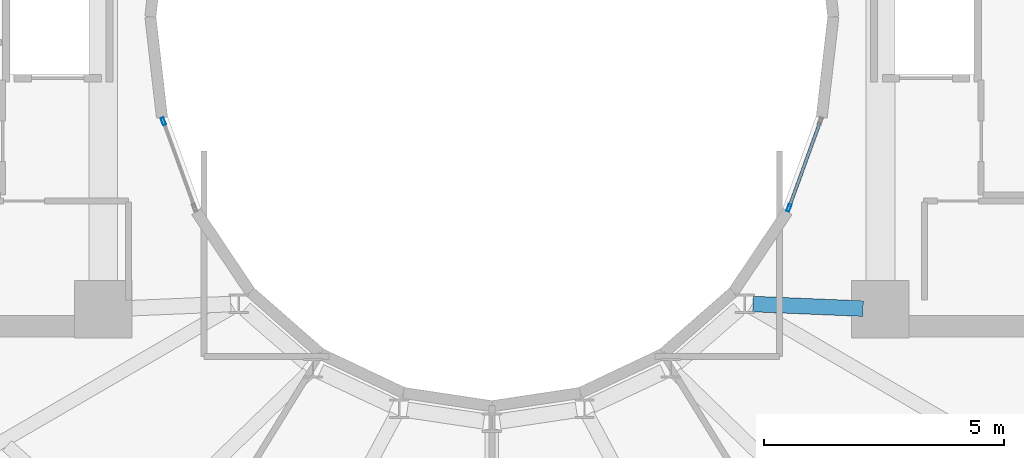
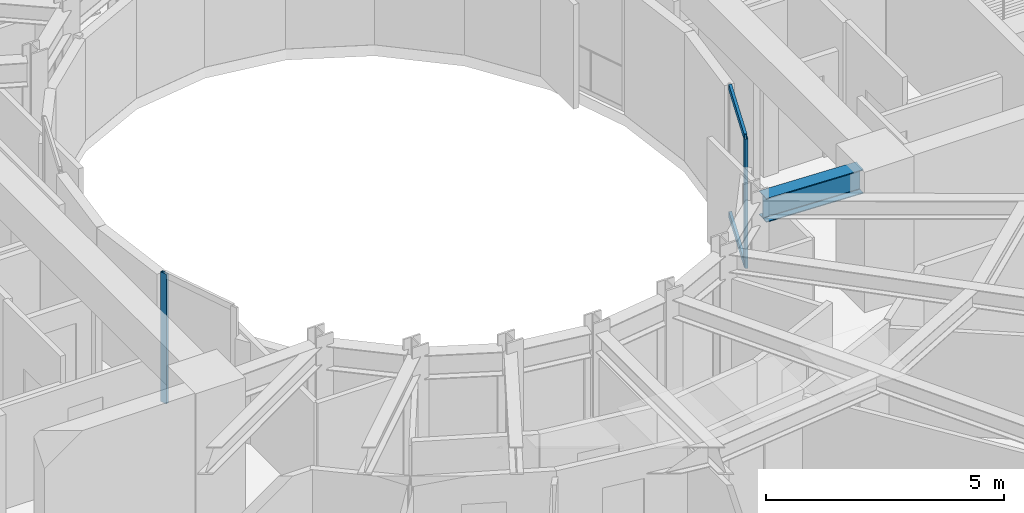
# One storey, part 6 of 24: 4 members, 1 beam, 2 elements without a shape of their own.
"""IFC4 building model written with IfcOpenShell, lengths in metres."""

from ifc_helpers import new_model, si_unit, direction, frame, origin, origin_2d, place, context, subcontext, project, spatial, hollow_rectangle, i_section, extrude, material, layer, layer_set, material_profile, profile_set, type_object, element, aggregate, save


model = new_model("IFC4")

# Units and contexts
model_context = context("Model", 3, precision=1e-05, world=origin(), true_north=direction((0.0, 1.0)))
body_context = subcontext(model_context, "Body", "Model", "MODEL_VIEW")
ifc_project = project(units=[si_unit("LENGTHUNIT", "METRE"), si_unit("AREAUNIT", "SQUARE_METRE"), si_unit("VOLUMEUNIT", "CUBIC_METRE"), si_unit("PLANEANGLEUNIT", "RADIAN"), si_unit("MASSUNIT", "GRAM", prefix="KILO")], contexts=[model_context])

# Site, building, storey
site_placement = place(None, origin())
site = spatial("IfcSite", under=ifc_project, at=site_placement, CompositionType="ELEMENT")
building_placement = place(site_placement, origin())
building = spatial("IfcBuilding", under=site, at=building_placement, Name="Solvane Sanctuary Tower", CompositionType="ELEMENT")
storey_placement = place(building_placement, frame((0.0, 0.0, 246.0)))
storey = spatial("IfcBuildingStorey", under=building, at=storey_placement, Name="L75", CompositionType="ELEMENT", Elevation=246.0)

# Beam
ifc_material_1 = material(Name="Steel ASTM A992 Grade 50", Category="steel")
ifc_material_profile_1 = material_profile(ifc_material_1, i_section(OverallWidth=0.324951171875, OverallDepth=0.615966796875, WebThickness=0.013916015625, FlangeThickness=0.021484375, FilletRadius=0.01611328125, at=origin_2d()), Name="W24X117")
ifc_profile_set_1 = profile_set([ifc_material_profile_1], Name="Steel ASTM A992 Grade 50")
beam_type = type_object("IfcBeamType", Name="Beam B-RING-IN2 W24X117", PredefinedType="BEAM", material=ifc_profile_set_1)
beam_placement = place(storey_placement, frame((37.44482421875, 17.0107421875, 3.010009765625), z_axis=(0.9991319677, -0.04165706566, 0.0), x_axis=(0.04165706566, 0.9991319677, 0.0)))
element("IfcBeam", 1, at=beam_placement, inside=storey, type_object=beam_type, Name="L75 Inner Light-Well Ring Beam IC14-CE1", PredefinedType="BEAM", context=body_context, shape_type="SweptSolid", body=[
    extrude(i_section(OverallWidth=0.324951171875, OverallDepth=0.615966796875, WebThickness=0.013916015625, FlangeThickness=0.021484375, FilletRadius=0.01611328125, at=origin_2d()), origin(), (0.0, 0.0, 1.0), 2.29736328125),
])

# Curtain wall, member
ifc_material_2 = material(Name="Anodised Aluminium 6063-T6", Category="aluminium")
ifc_layer = layer(ifc_material_2, 0.199951171875, Name="Anodised Aluminium 6063-T6")
ifc_layer_set = layer_set([ifc_layer], Name="Anodised Aluminium 6063-T6")
curtain_wall_type = type_object("IfcCurtainWallType", Name="Curtain Wall CW-WELL", PredefinedType="NOTDEFINED", material=ifc_layer_set)
curtain_wall_1_placement = place(storey_placement, origin())
curtain_wall_1 = element("IfcCurtainWall", 2, at=curtain_wall_1_placement, inside=storey, type_object=curtain_wall_type, Name="L75 Light-Well Glazed Curtain Wall 13", PredefinedType="NOTDEFINED")
ifc_material_profile_2 = material_profile(ifc_material_2, hollow_rectangle(XDim=0.06494140625, YDim=0.159912109375, WallThickness=0.00341796875, at=origin_2d()), Name="ALU160X65X3.5")
ifc_profile_set_2 = profile_set([ifc_material_profile_2], Name="Anodised Aluminium 6063-T6")
member_type_1 = type_object("IfcMemberType", Name="Member M-CW-MUL-2 ALU160X65X3.5", PredefinedType="MULLION", material=ifc_profile_set_2)
member_1_placement = place(storey_placement, frame((25.15087890625, 20.82080078125, 0.0), z_axis=(0.0, 0.0, 1.0), x_axis=(0.939933181429, 0.341358483781, 0.0)))
member_1 = element("IfcMember", 3, at=member_1_placement, type_object=member_type_1, Name="CW-WELL mullion 1", PredefinedType="MULLION", context=body_context, shape_type="SweptSolid", body=[
    extrude(hollow_rectangle(XDim=0.06494140625, YDim=0.159912109375, WallThickness=0.00341796875, at=origin_2d()), origin(), (0.0, 0.0, 1.0), 3.320068359375),
])
aggregate(curtain_wall_1, [member_1])

# Curtain wall, members
curtain_wall_2_placement = place(storey_placement, origin())
curtain_wall_2 = element("IfcCurtainWall", 4, at=curtain_wall_2_placement, inside=storey, type_object=curtain_wall_type, Name="L75 Light-Well Glazed Curtain Wall 22", PredefinedType="NOTDEFINED")
member_2_placement = place(storey_placement, frame((38.1943359375, 19.017578125, 0.0), z_axis=(0.0, 0.0, 1.0), x_axis=(-0.939933181429, 0.341358483781, 0.0)))
member_2 = element("IfcMember", 5, at=member_2_placement, type_object=member_type_1, Name="CW-WELL mullion 1", PredefinedType="MULLION", context=body_context, shape_type="SweptSolid", body=[
    extrude(hollow_rectangle(XDim=0.06494140625, YDim=0.159912109375, WallThickness=0.00341796875, at=origin_2d()), origin(), (0.0, 0.0, 1.0), 3.320068359375),
])
ifc_material_profile_3 = material_profile(ifc_material_2, hollow_rectangle(XDim=0.06494140625, YDim=0.159912109375, WallThickness=0.00341796875, at=origin_2d()), Name="ALU160X65X3.5")
ifc_profile_set_3 = profile_set([ifc_material_profile_3], Name="Anodised Aluminium 6063-T6")
member_type_2 = type_object("IfcMemberType", Name="Member M-CW-TRN-1 ALU160X65X3.5", PredefinedType="USERDEFINED", material=ifc_profile_set_3)
member_3_placement = place(storey_placement, frame((38.205322265625, 19.048095703125, 0.032470703125), z_axis=(0.341404620561, 0.939916424508, 0.0), x_axis=(-0.939916424508, 0.341404620561, 0.0)))
member_3 = element("IfcMember", 6, at=member_3_placement, type_object=member_type_2, Name="CW-WELL transom 1.1", ObjectType="TRANSOM", PredefinedType="USERDEFINED", context=body_context, shape_type="SweptSolid", body=[
    extrude(hollow_rectangle(XDim=0.06494140625, YDim=0.159912109375, WallThickness=0.00341796875, at=origin_2d()), origin(), (0.0, 0.0, 1.0), 1.853515625),
])
member_4_placement = place(storey_placement, frame((38.205322265625, 19.048095703125, 3.28759765625), z_axis=(0.341404620561, 0.939916424508, 0.0), x_axis=(-0.939916424508, 0.341404620561, 0.0)))
member_4 = element("IfcMember", 7, at=member_4_placement, type_object=member_type_2, Name="CW-WELL transom 1.2", ObjectType="TRANSOM", PredefinedType="USERDEFINED", context=body_context, shape_type="SweptSolid", body=[
    extrude(hollow_rectangle(XDim=0.06494140625, YDim=0.159912109375, WallThickness=0.00341796875, at=origin_2d()), origin(), (0.0, 0.0, 1.0), 1.853515625),
])
aggregate(curtain_wall_2, [member_2, member_3, member_4])

save(model, "model.ifc")
